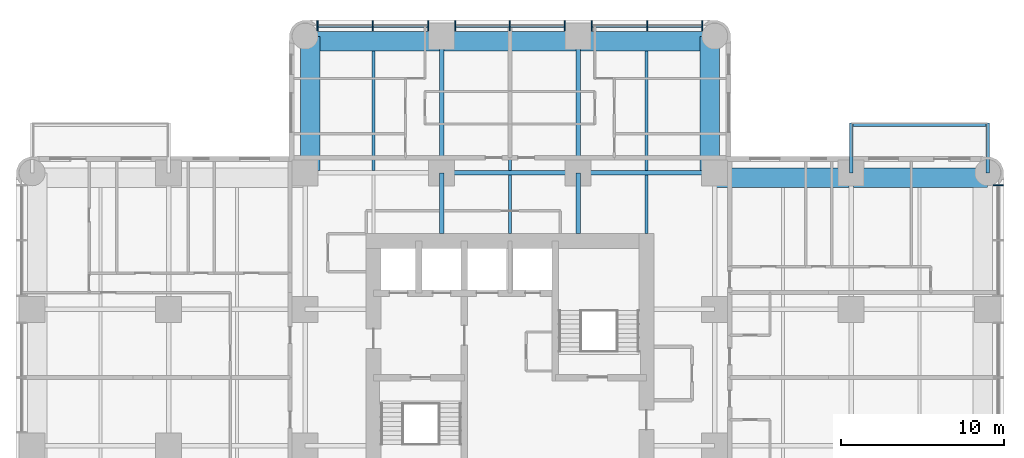
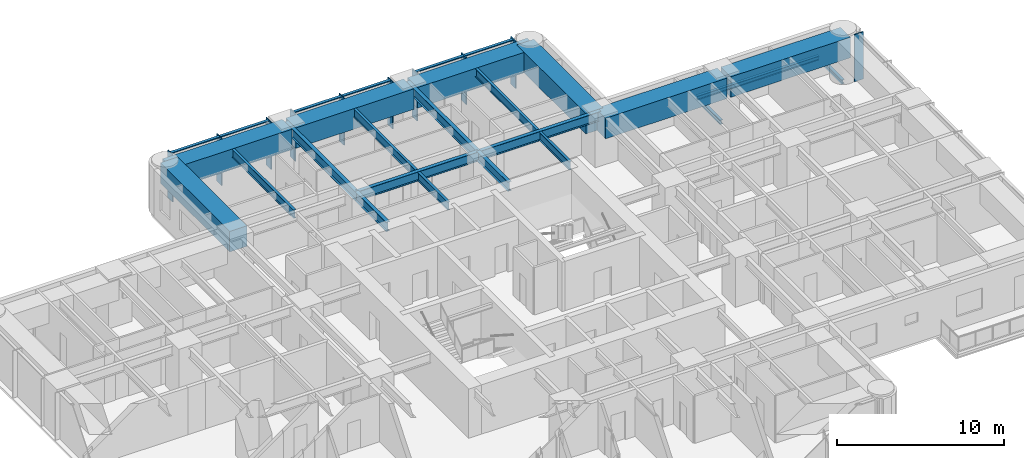
# One storey, part 4 of 14: 21 beams, 16 members, 2 elements without a shape of their own.
"""IFC4 building model written with IfcOpenShell, lengths in metres."""

from ifc_helpers import new_model, si_unit, direction, frame, origin, origin_2d, place, context, subcontext, project, spatial, rectangle, i_section, extrude, material, material_profile, profile_set, type_object, element, aggregate, save


model = new_model("IFC4")

# Units and contexts
model_context = context("Model", 3, precision=1e-05, world=origin(), true_north=direction((0.0, 1.0)))
body_context = subcontext(model_context, "Body", "Model", "MODEL_VIEW")
ifc_project = project(units=[si_unit("LENGTHUNIT", "METRE"), si_unit("AREAUNIT", "SQUARE_METRE"), si_unit("VOLUMEUNIT", "CUBIC_METRE"), si_unit("PLANEANGLEUNIT", "RADIAN"), si_unit("MASSUNIT", "GRAM", prefix="KILO")], contexts=[model_context])

# Site, building, storey
site_placement = place(None, origin())
site = spatial("IfcSite", under=ifc_project, at=site_placement, CompositionType="ELEMENT")
building_placement = place(site_placement, origin())
building = spatial("IfcBuilding", under=site, at=building_placement, Name="Torre Alcanfor", CompositionType="ELEMENT")
storey_placement = place(building_placement, frame((0.0, 0.0, 155.699951171875)))
storey = spatial("IfcBuildingStorey", under=building, at=storey_placement, Name="L40", CompositionType="ELEMENT", Elevation=155.699951171875)

# Beams
ifc_material_1 = material(Name="Steel ASTM A992 Grade 50", Category="steel")
ifc_material_profile_1 = material_profile(ifc_material_1, i_section(OverallWidth=0.205322265625, OverallDepth=0.309814453125, WebThickness=0.00927734375, FlangeThickness=0.016357421875, at=origin_2d()), Name="W12x50")
ifc_profile_set_1 = profile_set([ifc_material_profile_1], Name="Steel ASTM A992 Grade 50")
beam_type_1 = type_object("IfcBeamType", Name="Balcony cantilever beam W12x50", PredefinedType="BEAM", material=ifc_profile_set_1)
for number, where, z_axis, x_axis, name in (
    (1, (50.39990234375, 42.0, -0.35498046875), (0.0, 1.0, 0.0), (-1.0, 0.0, 0.0), "Balcony cantilever beam L40-E1 1"),
    (2, (58.800048828125, 42.0, -0.35498046875), (0.0, 1.0, 0.0), (-1.0, 0.0, 0.0), "Balcony cantilever beam L40-E1 2"),
):
    element("IfcBeam", number, at=place(storey_placement, frame(where, z_axis=z_axis, x_axis=x_axis)), inside=storey, type_object=beam_type_1, Name=name, PredefinedType="BEAM", context=body_context, shape_type="SweptSolid", body=[
        extrude(i_section(OverallWidth=0.205322265625, OverallDepth=0.309814453125, WebThickness=0.00927734375, FlangeThickness=0.016357421875, at=origin_2d()), origin(), (0.0, 0.0, 1.0), 3.050048828125),
    ])
ifc_material_2 = material(Name="Steel ASTM A992 Grade 50", Category="steel")
ifc_material_profile_2 = material_profile(ifc_material_2, i_section(OverallWidth=0.203369140625, OverallDepth=0.30224609375, WebThickness=0.007568359375, FlangeThickness=0.01318359375, at=origin_2d()), Name="W12x40")
ifc_profile_set_2 = profile_set([ifc_material_profile_2], Name="Steel ASTM A992 Grade 50")
beam_type_2 = type_object("IfcBeamType", Name="Balcony edge trimmer W12x40", PredefinedType="BEAM", material=ifc_profile_set_2)
beam_1_placement = place(storey_placement, frame((50.39990234375, 44.9482421875, -0.35107421875), z_axis=(1.0, 0.0, 0.0), x_axis=(0.0, 1.0, 0.0)))
element("IfcBeam", 3, at=beam_1_placement, inside=storey, type_object=beam_type_2, Name="Balcony edge trimmer L40-E1", PredefinedType="BEAM", context=body_context, shape_type="SweptSolid", body=[
    extrude(i_section(OverallWidth=0.203369140625, OverallDepth=0.30224609375, WebThickness=0.007568359375, FlangeThickness=0.01318359375, at=origin_2d()), origin(), (0.0, 0.0, 1.0), 8.400146484375),
])

# Curtain wall, member
ifc_material_3 = material(Name="Aluminium and glass", Category="aluminium")
curtain_wall_type = type_object("IfcCurtainWallType", Name="CW-A unitised apartment glazing with vertical FIN", PredefinedType="NOTDEFINED", material=ifc_material_3)
curtain_wall_1_placement = place(storey_placement, origin())
curtain_wall_1 = element("IfcCurtainWall", 4, at=curtain_wall_1_placement, inside=storey, type_object=curtain_wall_type, Name="Curtain wall CW-A L40 8", PredefinedType="NOTDEFINED")
ifc_material_4 = material(Name="Bronze anodised aluminium", Category="aluminium")
ifc_material_profile_3 = material_profile(ifc_material_4, rectangle(XDim=0.60009765625, YDim=0.06494140625, at=origin_2d()), Name="CW-A mullion 65x600")
ifc_profile_set_3 = profile_set([ifc_material_profile_3], Name="Bronze anodised aluminium")
member_type_1 = type_object("IfcMemberType", Name="CW-A mullion with vertical FIN 65x600", PredefinedType="MULLION", material=ifc_profile_set_3)
member_1_placement = place(storey_placement, frame((59.449951171875, 41.24267578125, 0.0), z_axis=(0.0, 0.0, 1.0), x_axis=(-1.0, 0.0, 0.0)))
member_1 = element("IfcMember", 5, at=member_1_placement, type_object=member_type_1, Name="CW-A mullion 3.3", PredefinedType="MULLION", context=body_context, shape_type="SweptSolid", body=[
    extrude(rectangle(XDim=0.60009765625, YDim=0.06494140625, at=origin_2d()), origin(), (0.0, 0.0, 1.0), 3.449951171875),
])
aggregate(curtain_wall_1, [member_1])

# Curtain wall, members
curtain_wall_2_placement = place(storey_placement, origin())
curtain_wall_2 = element("IfcCurtainWall", 6, at=curtain_wall_2_placement, inside=storey, type_object=curtain_wall_type, Name="Curtain wall CW-A L40 11", PredefinedType="NOTDEFINED")
member_2_placement = place(storey_placement, frame((41.24267578125, 51.050048828125, 0.0), z_axis=(0.0, 0.0, 1.0), x_axis=(0.0, -1.0, 0.0)))
member_2 = element("IfcMember", 7, at=member_2_placement, type_object=member_type_1, Name="CW-A mullion 1.1", PredefinedType="MULLION", context=body_context, shape_type="SweptSolid", body=[
    extrude(rectangle(XDim=0.60009765625, YDim=0.06494140625, at=origin_2d()), origin(), (0.0, 0.0, 1.0), 3.449951171875),
])
member_3_placement = place(storey_placement, frame((37.840087890625, 51.050048828125, 0.0), z_axis=(0.0, 0.0, 1.0), x_axis=(0.0, -1.0, 0.0)))
member_3 = element("IfcMember", 8, at=member_3_placement, type_object=member_type_1, Name="CW-A mullion 1.2", PredefinedType="MULLION", context=body_context, shape_type="SweptSolid", body=[
    extrude(rectangle(XDim=0.60009765625, YDim=0.06494140625, at=origin_2d()), origin(), (0.0, 0.0, 1.0), 3.449951171875),
])
member_4_placement = place(storey_placement, frame((34.4375, 51.050048828125, 0.0), z_axis=(0.0, 0.0, 1.0), x_axis=(0.0, -1.0, 0.0)))
member_4 = element("IfcMember", 9, at=member_4_placement, type_object=member_type_1, Name="CW-A mullion 1.3", PredefinedType="MULLION", context=body_context, shape_type="SweptSolid", body=[
    extrude(rectangle(XDim=0.60009765625, YDim=0.06494140625, at=origin_2d()), origin(), (0.0, 0.0, 1.0), 3.449951171875),
])
member_5_placement = place(storey_placement, frame((32.762451171875, 51.050048828125, 0.0), z_axis=(0.0, 0.0, 1.0), x_axis=(0.0, -1.0, 0.0)))
member_5 = element("IfcMember", 10, at=member_5_placement, type_object=member_type_1, Name="CW-A mullion 2.1", PredefinedType="MULLION", context=body_context, shape_type="SweptSolid", body=[
    extrude(rectangle(XDim=0.60009765625, YDim=0.06494140625, at=origin_2d()), origin(), (0.0, 0.0, 1.0), 3.449951171875),
])
member_6_placement = place(storey_placement, frame((29.39990234375, 51.050048828125, 0.0), z_axis=(0.0, 0.0, 1.0), x_axis=(0.0, -1.0, 0.0)))
member_6 = element("IfcMember", 11, at=member_6_placement, type_object=member_type_1, Name="CW-A mullion 2.2", PredefinedType="MULLION", context=body_context, shape_type="SweptSolid", body=[
    extrude(rectangle(XDim=0.60009765625, YDim=0.06494140625, at=origin_2d()), origin(), (0.0, 0.0, 1.0), 3.449951171875),
])
member_7_placement = place(storey_placement, frame((26.03759765625, 51.050048828125, 0.0), z_axis=(0.0, 0.0, 1.0), x_axis=(0.0, -1.0, 0.0)))
member_7 = element("IfcMember", 12, at=member_7_placement, type_object=member_type_1, Name="CW-A mullion 2.3", PredefinedType="MULLION", context=body_context, shape_type="SweptSolid", body=[
    extrude(rectangle(XDim=0.60009765625, YDim=0.06494140625, at=origin_2d()), origin(), (0.0, 0.0, 1.0), 3.449951171875),
])
member_8_placement = place(storey_placement, frame((24.362548828125, 51.050048828125, 0.0), z_axis=(0.0, 0.0, 1.0), x_axis=(0.0, -1.0, 0.0)))
member_8 = element("IfcMember", 13, at=member_8_placement, type_object=member_type_1, Name="CW-A mullion 3.1", PredefinedType="MULLION", context=body_context, shape_type="SweptSolid", body=[
    extrude(rectangle(XDim=0.60009765625, YDim=0.06494140625, at=origin_2d()), origin(), (0.0, 0.0, 1.0), 3.449951171875),
])
member_9_placement = place(storey_placement, frame((20.9599609375, 51.050048828125, 0.0), z_axis=(0.0, 0.0, 1.0), x_axis=(0.0, -1.0, 0.0)))
member_9 = element("IfcMember", 14, at=member_9_placement, type_object=member_type_1, Name="CW-A mullion 3.2", PredefinedType="MULLION", context=body_context, shape_type="SweptSolid", body=[
    extrude(rectangle(XDim=0.60009765625, YDim=0.06494140625, at=origin_2d()), origin(), (0.0, 0.0, 1.0), 3.449951171875),
])
member_10_placement = place(storey_placement, frame((17.557373046875, 51.050048828125, 0.0), z_axis=(0.0, 0.0, 1.0), x_axis=(0.0, -1.0, 0.0)))
member_10 = element("IfcMember", 15, at=member_10_placement, type_object=member_type_1, Name="CW-A mullion 3.3", PredefinedType="MULLION", context=body_context, shape_type="SweptSolid", body=[
    extrude(rectangle(XDim=0.60009765625, YDim=0.06494140625, at=origin_2d()), origin(), (0.0, 0.0, 1.0), 3.449951171875),
])
ifc_material_5 = material(Name="Extruded aluminium", Category="aluminium")
ifc_material_profile_4 = material_profile(ifc_material_5, rectangle(XDim=0.199951171875, YDim=0.06494140625, at=origin_2d()), Name="CW-A transom 200x65")
ifc_profile_set_4 = profile_set([ifc_material_profile_4], Name="Extruded aluminium")
member_type_2 = type_object("IfcMemberType", Name="CW-A transom 65x200", PredefinedType="USERDEFINED", material=ifc_profile_set_4)
member_11_placement = place(storey_placement, frame((41.210205078125, 51.050048828125, 3.41748046875), z_axis=(-1.0, 0.0, 0.0), x_axis=(0.0, -1.0, 0.0)))
member_11 = element("IfcMember", 16, at=member_11_placement, type_object=member_type_2, Name="CW-A transom 1.1.2", ObjectType="TRANSOM", PredefinedType="USERDEFINED", context=body_context, shape_type="SweptSolid", body=[
    extrude(rectangle(XDim=0.199951171875, YDim=0.06494140625, at=origin_2d()), origin(), (0.0, 0.0, 1.0), 3.337646484375),
])
member_12_placement = place(storey_placement, frame((37.8076171875, 51.050048828125, 3.41748046875), z_axis=(-1.0, 0.0, 0.0), x_axis=(0.0, -1.0, 0.0)))
member_12 = element("IfcMember", 17, at=member_12_placement, type_object=member_type_2, Name="CW-A transom 1.2.2", ObjectType="TRANSOM", PredefinedType="USERDEFINED", context=body_context, shape_type="SweptSolid", body=[
    extrude(rectangle(XDim=0.199951171875, YDim=0.06494140625, at=origin_2d()), origin(), (0.0, 0.0, 1.0), 3.337646484375),
])
member_13_placement = place(storey_placement, frame((32.72998046875, 51.050048828125, 3.41748046875), z_axis=(-1.0, 0.0, 0.0), x_axis=(0.0, -1.0, 0.0)))
member_13 = element("IfcMember", 18, at=member_13_placement, type_object=member_type_2, Name="CW-A transom 2.1.2", ObjectType="TRANSOM", PredefinedType="USERDEFINED", context=body_context, shape_type="SweptSolid", body=[
    extrude(rectangle(XDim=0.199951171875, YDim=0.06494140625, at=origin_2d()), origin(), (0.0, 0.0, 1.0), 3.29736328125),
])
member_14_placement = place(storey_placement, frame((29.367431640625, 51.050048828125, 3.41748046875), z_axis=(-1.0, 0.0, 0.0), x_axis=(0.0, -1.0, 0.0)))
member_14 = element("IfcMember", 19, at=member_14_placement, type_object=member_type_2, Name="CW-A transom 2.2.2", ObjectType="TRANSOM", PredefinedType="USERDEFINED", context=body_context, shape_type="SweptSolid", body=[
    extrude(rectangle(XDim=0.199951171875, YDim=0.06494140625, at=origin_2d()), origin(), (0.0, 0.0, 1.0), 3.29736328125),
])
member_15_placement = place(storey_placement, frame((24.330078125, 51.050048828125, 3.41748046875), z_axis=(-1.0, 0.0, 0.0), x_axis=(0.0, -1.0, 0.0)))
member_15 = element("IfcMember", 20, at=member_15_placement, type_object=member_type_2, Name="CW-A transom 3.1.2", ObjectType="TRANSOM", PredefinedType="USERDEFINED", context=body_context, shape_type="SweptSolid", body=[
    extrude(rectangle(XDim=0.199951171875, YDim=0.06494140625, at=origin_2d()), origin(), (0.0, 0.0, 1.0), 3.337646484375),
])
member_16_placement = place(storey_placement, frame((20.927490234375, 51.050048828125, 3.41748046875), z_axis=(-1.0, 0.0, 0.0), x_axis=(0.0, -1.0, 0.0)))
member_16 = element("IfcMember", 21, at=member_16_placement, type_object=member_type_2, Name="CW-A transom 3.2.2", ObjectType="TRANSOM", PredefinedType="USERDEFINED", context=body_context, shape_type="SweptSolid", body=[
    extrude(rectangle(XDim=0.199951171875, YDim=0.06494140625, at=origin_2d()), origin(), (0.0, 0.0, 1.0), 3.337646484375),
])
aggregate(curtain_wall_2, [member_2, member_3, member_4, member_11, member_12, member_5, member_6, member_7, member_13, member_14, member_8, member_9, member_10, member_15, member_16])

# Beams
ifc_material_6 = material(Name="Steel ASTM A992 Grade 50", Category="steel")
ifc_material_profile_5 = material_profile(ifc_material_6, i_section(OverallWidth=0.25390625, OverallDepth=0.683349609375, WebThickness=0.012451171875, FlangeThickness=0.01904296875, at=origin_2d()), Name="W27x94")
ifc_profile_set_5 = profile_set([ifc_material_profile_5], Name="Steel ASTM A992 Grade 50")
beam_type_3 = type_object("IfcBeamType", Name="Girder W27x94", PredefinedType="BEAM", material=ifc_profile_set_5)
beam_2_placement = place(storey_placement, frame((25.199951171875, 42.0, 3.1083984375), z_axis=(1.0, 0.0, 0.0), x_axis=(0.0, 1.0, 0.0)))
element("IfcBeam", 22, at=beam_2_placement, inside=storey, type_object=beam_type_3, Name="Beam 4H-5H under L41", PredefinedType="BEAM", context=body_context, shape_type="SweptSolid", body=[
    extrude(i_section(OverallWidth=0.25390625, OverallDepth=0.683349609375, WebThickness=0.012451171875, FlangeThickness=0.01904296875, at=origin_2d()), origin(), (0.0, 0.0, 1.0), 8.400146484375),
])
for number, where, z_axis, x_axis, name in (
    (23, (33.60009765625, 42.0, 3.1083984375), (1.0, 0.0, 0.0), (0.0, 1.0, 0.0), "Beam 5H-6H under L41"),
    (24, (25.199951171875, 42.0, 3.1083984375), (0.0, 1.0, 0.0), (-1.0, 0.0, 0.0), "Beam 4H-4J under L41"),
    (25, (33.60009765625, 42.0, 3.1083984375), (0.0, 1.0, 0.0), (-1.0, 0.0, 0.0), "Beam 5H-5J under L41"),
):
    element("IfcBeam", number, at=place(storey_placement, frame(where, z_axis=z_axis, x_axis=x_axis)), inside=storey, type_object=beam_type_3, Name=name, PredefinedType="BEAM", context=body_context, shape_type="SweptSolid", body=[
        extrude(i_section(OverallWidth=0.25390625, OverallDepth=0.683349609375, WebThickness=0.012451171875, FlangeThickness=0.01904296875, at=origin_2d()), origin(), (0.0, 0.0, 1.0), 8.39990234375),
    ])
ifc_material_7 = material(Name="Steel ASTM A992 Grade 50", Category="steel")
ifc_material_profile_6 = material_profile(ifc_material_7, i_section(OverallWidth=0.25390625, OverallDepth=0.683349609375, WebThickness=0.012451171875, FlangeThickness=0.01904296875, at=origin_2d()), Name="W27x94")
ifc_profile_set_6 = profile_set([ifc_material_profile_6], Name="Steel ASTM A992 Grade 50")
beam_type_4 = type_object("IfcBeamType", Name="Girder, part bay W27x94", PredefinedType="BEAM", material=ifc_profile_set_6)
for number, where, z_axis, x_axis, name in (
    (26, (25.199951171875, 42.0, 3.1083984375), (0.0, -1.0, 0.0), (1.0, 0.0, 0.0), "Beam 4H-438_25 under L41"),
    (27, (33.60009765625, 42.0, 3.1083984375), (0.0, -1.0, 0.0), (1.0, 0.0, 0.0), "Beam 5H-538_25 under L41"),
):
    element("IfcBeam", number, at=place(storey_placement, frame(where, z_axis=z_axis, x_axis=x_axis)), inside=storey, type_object=beam_type_4, Name=name, PredefinedType="BEAM", context=body_context, shape_type="SweptSolid", body=[
        extrude(i_section(OverallWidth=0.25390625, OverallDepth=0.683349609375, WebThickness=0.012451171875, FlangeThickness=0.01904296875, at=origin_2d()), origin(), (0.0, 0.0, 1.0), 3.75),
    ])
ifc_material_8 = material(Name="Concrete f'c 70 MPa", Category="concrete")
ifc_material_profile_7 = material_profile(ifc_material_8, rectangle(XDim=1.199951171875, YDim=1.5, at=origin_2d()), Name="1200x1500")
ifc_profile_set_7 = profile_set([ifc_material_profile_7], Name="Concrete f'c 70 MPa")
beam_type_5 = type_object("IfcBeamType", Name="RC perimeter beam 1200x1500", PredefinedType="BEAM", material=ifc_profile_set_7)
beam_3_placement = place(storey_placement, frame((41.873046875, 41.699951171875, 2.699951171875), z_axis=(1.0, 0.0, 0.0), x_axis=(0.0, 1.0, 0.0)))
element("IfcBeam", 28, at=beam_3_placement, inside=storey, type_object=beam_type_5, Name="Beam 6H-7H under L41", PredefinedType="BEAM", context=body_context, shape_type="SweptSolid", body=[
    extrude(rectangle(XDim=1.199951171875, YDim=1.5, at=origin_2d()), origin(), (0.0, 0.0, 1.0), 8.39990234375),
])
for number, where, z_axis, x_axis, name in (
    (29, (50.527099609375, 41.699951171875, 2.699951171875), (1.0, 0.0, 0.0), (0.0, 1.0, 0.0), "Beam 7H-8H under L41"),
    (30, (16.800048828125, 50.10009765625, 2.699951171875), (1.0, 0.0, 0.0), (0.0, 1.0, 0.0), "Beam 3J-4J under L41"),
):
    element("IfcBeam", number, at=place(storey_placement, frame(where, z_axis=z_axis, x_axis=x_axis)), inside=storey, type_object=beam_type_5, Name=name, PredefinedType="BEAM", context=body_context, shape_type="SweptSolid", body=[
        extrude(rectangle(XDim=1.199951171875, YDim=1.5, at=origin_2d()), origin(), (0.0, 0.0, 1.0), 8.27294921875),
    ])
beam_4_placement = place(storey_placement, frame((25.326904296875, 50.10009765625, 2.699951171875), z_axis=(1.0, 0.0, 0.0), x_axis=(0.0, 1.0, 0.0)))
element("IfcBeam", 31, at=beam_4_placement, inside=storey, type_object=beam_type_5, Name="Beam 4J-5J under L41", PredefinedType="BEAM", context=body_context, shape_type="SweptSolid", body=[
    extrude(rectangle(XDim=1.199951171875, YDim=1.5, at=origin_2d()), origin(), (0.0, 0.0, 1.0), 8.14599609375),
])
for number, where, z_axis, x_axis, name in (
    (32, (33.72705078125, 50.10009765625, 2.699951171875), (1.0, 0.0, 0.0), (0.0, 1.0, 0.0), "Beam 5J-6J under L41"),
    (33, (17.10009765625, 42.126953125, 2.699951171875), (0.0, 1.0, 0.0), (-1.0, 0.0, 0.0), "Beam 3H-3J under L41"),
    (34, (41.699951171875, 42.126953125, 2.699951171875), (0.0, 1.0, 0.0), (-1.0, 0.0, 0.0), "Beam 6H-6J under L41"),
):
    element("IfcBeam", number, at=place(storey_placement, frame(where, z_axis=z_axis, x_axis=x_axis)), inside=storey, type_object=beam_type_5, Name=name, PredefinedType="BEAM", context=body_context, shape_type="SweptSolid", body=[
        extrude(rectangle(XDim=1.199951171875, YDim=1.5, at=origin_2d()), origin(), (0.0, 0.0, 1.0), 8.27294921875),
    ])
ifc_material_9 = material(Name="Steel ASTM A992 Grade 50", Category="steel")
ifc_material_profile_8 = material_profile(ifc_material_9, i_section(OverallWidth=0.1787109375, OverallDepth=0.60205078125, WebThickness=0.010986328125, FlangeThickness=0.014892578125, at=origin_2d()), Name="W24x62")
ifc_profile_set_8 = profile_set([ifc_material_profile_8], Name="Steel ASTM A992 Grade 50")
beam_type_6 = type_object("IfcBeamType", Name="Secondary beam W24x62", PredefinedType="BEAM", material=ifc_profile_set_8)
for number, where, z_axis, x_axis, name in (
    (35, (21.0, 42.126953125, 3.149169921875), (0.0, 1.0, 0.0), (-1.0, 0.0, 0.0), "Beam 21H-21J under L41"),
    (36, (29.39990234375, 42.126953125, 3.149169921875), (0.0, 1.0, 0.0), (-1.0, 0.0, 0.0), "Beam 29_4H-29_4J under L41"),
    (37, (37.800048828125, 42.126953125, 3.149169921875), (0.0, 1.0, 0.0), (-1.0, 0.0, 0.0), "Beam 37_8H-37_8J under L41"),
):
    element("IfcBeam", number, at=place(storey_placement, frame(where, z_axis=z_axis, x_axis=x_axis)), inside=storey, type_object=beam_type_6, Name=name, PredefinedType="BEAM", context=body_context, shape_type="SweptSolid", body=[
        extrude(i_section(OverallWidth=0.1787109375, OverallDepth=0.60205078125, WebThickness=0.010986328125, FlangeThickness=0.014892578125, at=origin_2d()), origin(), (0.0, 0.0, 1.0), 7.373046875),
    ])
ifc_material_10 = material(Name="Steel ASTM A992 Grade 50", Category="steel")
ifc_material_profile_9 = material_profile(ifc_material_10, i_section(OverallWidth=0.1787109375, OverallDepth=0.60205078125, WebThickness=0.010986328125, FlangeThickness=0.014892578125, at=origin_2d()), Name="W24x62")
ifc_profile_set_9 = profile_set([ifc_material_profile_9], Name="Steel ASTM A992 Grade 50")
beam_type_7 = type_object("IfcBeamType", Name="Secondary beam, part bay W24x62", PredefinedType="BEAM", material=ifc_profile_set_9)
for number, where, z_axis, x_axis, name in (
    (38, (29.39990234375, 38.25, 3.149169921875), (0.0, 1.0, 0.0), (-1.0, 0.0, 0.0), "Beam 29_438_25-29_4H under L41"),
    (39, (37.800048828125, 38.25, 3.149169921875), (0.0, 1.0, 0.0), (-1.0, 0.0, 0.0), "Beam 37_838_25-37_8H under L41"),
):
    element("IfcBeam", number, at=place(storey_placement, frame(where, z_axis=z_axis, x_axis=x_axis)), inside=storey, type_object=beam_type_7, Name=name, PredefinedType="BEAM", context=body_context, shape_type="SweptSolid", body=[
        extrude(i_section(OverallWidth=0.1787109375, OverallDepth=0.60205078125, WebThickness=0.010986328125, FlangeThickness=0.014892578125, at=origin_2d()), origin(), (0.0, 0.0, 1.0), 3.623046875),
    ])

save(model, "model.ifc")
